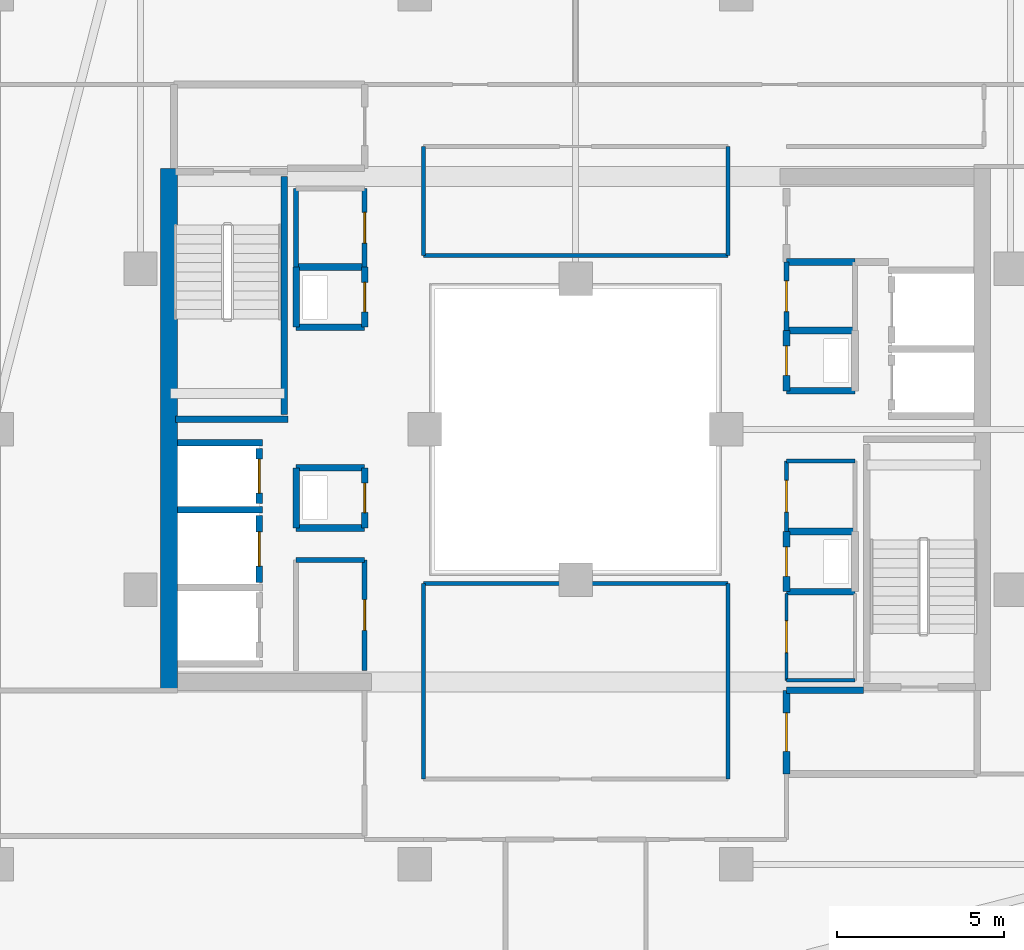
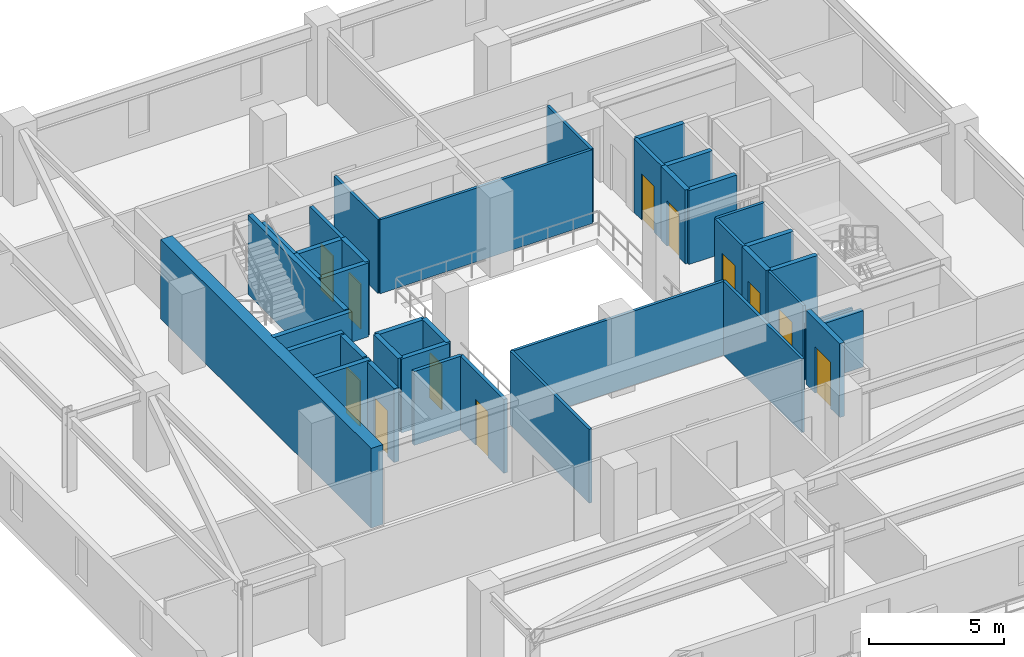
# One storey, part 24 of 33: 39 walls, 12 doors, 12 openings.
"""IFC4 building model written with IfcOpenShell, lengths in metres."""

from ifc_helpers import new_model, si_unit, direction, frame, frame_2d, origin, place, context, subcontext, project, spatial, rectangle, extrude, material, layer, layer_set, type_object, element, fill, save


model = new_model("IFC4")

# Units and contexts
model_context = context("Model", 3, precision=1e-05, world=origin(), true_north=direction((0.0, 1.0)))
body_context = subcontext(model_context, "Body", "Model", "MODEL_VIEW")
ifc_project = project(units=[si_unit("LENGTHUNIT", "METRE"), si_unit("AREAUNIT", "SQUARE_METRE"), si_unit("VOLUMEUNIT", "CUBIC_METRE"), si_unit("PLANEANGLEUNIT", "RADIAN"), si_unit("MASSUNIT", "GRAM", prefix="KILO")], contexts=[model_context])

# Site, building, storey
site_placement = place(None, origin())
site = spatial("IfcSite", under=ifc_project, at=site_placement, CompositionType="ELEMENT")
building_placement = place(site_placement, origin())
building = spatial("IfcBuilding", under=site, at=building_placement, Name="Thornwick Lancets Civic Towers", CompositionType="ELEMENT")
storey_placement = place(building_placement, frame((0.0, 0.0, 203.699951171875)))
storey = spatial("IfcBuildingStorey", under=building, at=storey_placement, Name="L54", CompositionType="ELEMENT", Elevation=203.699951171875)

# Wall, opening, door
ifc_material_1 = material(Name="Concrete blockwork C40/50", Category="masonry")
ifc_layer_1 = layer(ifc_material_1, 0.199951171875, Name="Concrete blockwork C40/50")
ifc_layer_set_1 = layer_set([ifc_layer_1], Name="Concrete blockwork C40/50")
wall_type_1 = type_object("IfcWallType", Name="WALL_COMP_200", PredefinedType="STANDARD", material=ifc_layer_set_1)
wall_1_placement = place(storey_placement, frame((79.050048828125, 24.780029296875, 0.0), z_axis=(0.0, 0.0, 1.0), x_axis=(0.0, 1.0, 0.0)))
wall_1 = element("IfcWall", 1, at=wall_1_placement, inside=storey, type_object=wall_type_1, Name="L54 Hoistway Front Wall FL-B2", PredefinedType="STANDARD", context=body_context, shape_type="SweptSolid", body=[
    extrude(rectangle(XDim=1.639892578125, YDim=0.199951171875, at=frame_2d((0.81982421875, 0.0))), origin(), (0.0, 0.0, 1.0), 3.340087890625),
])
opening_1_placement = place(wall_1_placement, frame((0.31005859375, 0.0, 0.0)))
opening_1 = element("IfcOpeningElement", 2, at=opening_1_placement, cuts=wall_1, Name="Opening LD-FL-B2", PredefinedType="OPENING", context=body_context, shape_type="SweptSolid", body=[
    extrude(rectangle(XDim=1.02001953125, YDim=2.06005859375, at=frame_2d((0.510009765625, 1.030029296875))), frame((0.0, 0.10986328125, 0.0), z_axis=(0.0, -1.0, 0.0), x_axis=(1.0, 0.0, 0.0)), (0.0, 0.0, 1.0), 0.219970703125),
])
ifc_material_2 = material(Name="Brushed bronze stainless steel", Category="steel")
door_type_1 = type_object("IfcDoorType", Name="DOOR_LIFT_SLIDE", OperationType="SLIDING_TO_LEFT", PredefinedType="DOOR", material=ifc_material_2)
door_1_placement = place(opening_1_placement, origin())
door_1 = element("IfcDoor", 3, at=door_1_placement, inside=storey, type_object=door_type_1, Name="L54 Sliding Lift Landing Door LD-FL-B2", OperationType="SLIDING_TO_LEFT", OverallHeight=2.06005859375, OverallWidth=1.02001953125, PredefinedType="DOOR", context=body_context, shape_type="SweptSolid", body=[
    extrude(rectangle(XDim=1.02001953125, YDim=2.06005859375, at=frame_2d((0.510009765625, 1.030029296875))), frame((0.0, 0.02490234375, 0.0), z_axis=(0.0, -1.0, 0.0), x_axis=(1.0, 0.0, 0.0)), (0.0, 0.0, 1.0), 0.050048828125),
])
fill(opening_1, door_1)

wall_2_placement = place(storey_placement, frame((79.050048828125, 22.429931640625, 0.0), z_axis=(0.0, 0.0, 1.0), x_axis=(0.0, 1.0, 0.0)))
wall_2 = element("IfcWall", 4, at=wall_2_placement, inside=storey, type_object=wall_type_1, Name="L54 Hoistway Front Wall PL-BH2", PredefinedType="STANDARD", context=body_context, shape_type="SweptSolid", body=[
    extrude(rectangle(XDim=1.989990234375, YDim=0.199951171875, at=frame_2d((0.9951171875, 0.0))), origin(), (0.0, 0.0, 1.0), 3.340087890625),
])
opening_2_placement = place(wall_2_placement, frame((0.485107421875, 0.0, 0.0)))
opening_2 = element("IfcOpeningElement", 5, at=opening_2_placement, cuts=wall_2, Name="Opening LD-PL-BH2", PredefinedType="OPENING", context=body_context, shape_type="SweptSolid", body=[
    extrude(rectangle(XDim=1.02001953125, YDim=2.06005859375, at=frame_2d((0.510009765625, 1.030029296875))), frame((0.0, 0.10986328125, 0.0), z_axis=(0.0, -1.0, 0.0), x_axis=(1.0, 0.0, 0.0)), (0.0, 0.0, 1.0), 0.219970703125),
])
door_2_placement = place(opening_2_placement, origin())
door_2 = element("IfcDoor", 6, at=door_2_placement, inside=storey, type_object=door_type_1, Name="L54 Sliding Lift Landing Door LD-PL-BH2", OperationType="SLIDING_TO_LEFT", OverallHeight=2.06005859375, OverallWidth=1.02001953125, PredefinedType="DOOR", context=body_context, shape_type="SweptSolid", body=[
    extrude(rectangle(XDim=1.02001953125, YDim=2.06005859375, at=frame_2d((0.510009765625, 1.030029296875))), frame((0.0, 0.02490234375, 0.0), z_axis=(0.0, -1.0, 0.0), x_axis=(1.0, 0.0, 0.0)), (0.0, 0.0, 1.0), 0.050048828125),
])
fill(opening_2, door_2)

# Walls
for number, where, z_axis, x_axis, name in (
    (7, (76.612060546875, 26.60009765625, 0.0), (0.0, 0.0, 1.0), (1.0, 0.0, 0.0), "L54 Hoistway Shaft Wall FL-B2 N"),
    (8, (76.612060546875, 24.60009765625, 0.0), (0.0, 0.0, 1.0), (1.0, 0.0, 0.0), "L54 Hoistway Shaft Wall FL-B2 S"),
):
    element("IfcWall", number, at=place(storey_placement, frame(where, z_axis=z_axis, x_axis=x_axis)), inside=storey, type_object=wall_type_1, Name=name, PredefinedType="STANDARD", context=body_context, shape_type="SweptSolid", body=[
        extrude(rectangle(XDim=2.535888671875, YDim=0.199951171875, at=frame_2d((1.26806640625, 0.0))), origin(), (0.0, 0.0, 1.0), 3.340087890625),
    ])
wall_3_placement = place(storey_placement, frame((97.10009765625, 19.199951171875, 0.0), z_axis=(0.0, 0.0, 1.0), x_axis=(-1.0, 0.0, 0.0)))
element("IfcWall", 9, at=wall_3_placement, inside=storey, type_object=wall_type_1, Name="L54 Partition L54-B-FFLOB1 E3", PredefinedType="STANDARD", context=body_context, shape_type="SweptSolid", body=[
    extrude(rectangle(XDim=2.300048828125, YDim=0.199951171875, at=frame_2d((1.14990234375, 0.0))), origin(), (0.0, 0.0, 1.0), 2.545166015625),
])

# Wall, opening, door
wall_4_placement = place(storey_placement, frame((94.800048828125, 19.199951171875, 0.0), z_axis=(0.0, 0.0, 1.0), x_axis=(0.0, -1.0, 0.0)))
wall_4 = element("IfcWall", 10, at=wall_4_placement, inside=storey, type_object=wall_type_1, Name="L54 Partition L54-B-FFLOB1 E4", PredefinedType="STANDARD", context=body_context, shape_type="SweptSolid", body=[
    extrude(rectangle(XDim=2.5, YDim=0.199951171875, at=frame_2d((1.25, 0.0))), origin(), (0.0, 0.0, 1.0), 3.340087890625),
])
opening_3_placement = place(wall_4_placement, frame((0.675048828125, 0.0, 0.0)))
opening_3 = element("IfcOpeningElement", 11, at=opening_3_placement, cuts=wall_4, Name="Opening D-L54-2399", PredefinedType="OPENING", context=body_context, shape_type="SweptSolid", body=[
    extrude(rectangle(XDim=1.14990234375, YDim=2.10009765625, at=frame_2d((0.574951171875, 1.050048828125))), frame((0.0, 0.10986328125, 0.0), z_axis=(0.0, -1.0, 0.0), x_axis=(1.0, 0.0, 0.0)), (0.0, 0.0, 1.0), 0.219970703125),
])
ifc_material_3 = material(Name="Glazed fire-resisting steel", Category="steel")
door_type_2 = type_object("IfcDoorType", Name="DOOR_LOBBY_FD60", OperationType="NOTDEFINED", PredefinedType="DOOR", material=ifc_material_3)
door_3_placement = place(opening_3_placement, origin())
door_3 = element("IfcDoor", 12, at=door_3_placement, inside=storey, type_object=door_type_2, Name="L54 East Firefighting Lobby 1 Door", OperationType="SINGLE_SWING_RIGHT", OverallHeight=2.10009765625, OverallWidth=1.14990234375, PredefinedType="DOOR", context=body_context, shape_type="SweptSolid", body=[
    extrude(rectangle(XDim=1.14990234375, YDim=2.10009765625, at=frame_2d((0.574951171875, 1.050048828125))), frame((0.0, 0.02490234375, 0.0), z_axis=(0.0, -1.0, 0.0), x_axis=(1.0, 0.0, 0.0)), (0.0, 0.0, 1.0), 0.050048828125),
])
fill(opening_3, door_3)

# Walls
for number, where, z_axis, x_axis, name in (
    (13, (94.800048828125, 28.14990234375, 0.0), (0.0, 0.0, 1.0), (1.0, 0.0, 0.0), "L54 Partition L54-B-DUCT1 E1"),
    (14, (96.85009765625, 29.949951171875, 0.0), (0.0, 0.0, 1.0), (-1.0, 0.0, 0.0), "L54 Partition L54-B-DUCT1 E3"),
):
    element("IfcWall", number, at=place(storey_placement, frame(where, z_axis=z_axis, x_axis=x_axis)), inside=storey, type_object=wall_type_1, Name=name, PredefinedType="STANDARD", context=body_context, shape_type="SweptSolid", body=[
        extrude(rectangle(XDim=2.050048828125, YDim=0.199951171875, at=frame_2d((1.02490234375, 0.0))), origin(), (0.0, 0.0, 1.0), 3.340087890625),
    ])

# Wall, opening, door
wall_5_placement = place(storey_placement, frame((94.800048828125, 29.949951171875, 0.0), z_axis=(0.0, 0.0, 1.0), x_axis=(0.0, -1.0, 0.0)))
wall_5 = element("IfcWall", 15, at=wall_5_placement, inside=storey, type_object=wall_type_1, Name="L54 Partition L54-B-DUCT1 E4", PredefinedType="STANDARD", context=body_context, shape_type="SweptSolid", body=[
    extrude(rectangle(XDim=1.800048828125, YDim=0.199951171875, at=frame_2d((0.89990234375, 0.0))), origin(), (0.0, 0.0, 1.0), 3.340087890625),
])
opening_4_placement = place(wall_5_placement, frame((0.4599609375, 0.0, 0.0)))
opening_4 = element("IfcOpeningElement", 16, at=opening_4_placement, cuts=wall_5, Name="Opening D-L54-2401", PredefinedType="OPENING", context=body_context, shape_type="SweptSolid", body=[
    extrude(rectangle(XDim=0.8798828125, YDim=2.0400390625, at=frame_2d((0.43994140625, 1.02001953125))), frame((0.0, 0.10986328125, 0.0), z_axis=(0.0, -1.0, 0.0), x_axis=(1.0, 0.0, 0.0)), (0.0, 0.0, 1.0), 0.219970703125),
])
ifc_material_4 = material(Name="Steel riser access doorset", Category="steel")
door_type_3 = type_object("IfcDoorType", Name="DOOR_RISER_850", OperationType="NOTDEFINED", PredefinedType="DOOR", material=ifc_material_4)
door_4_placement = place(opening_4_placement, origin())
door_4 = element("IfcDoor", 17, at=door_4_placement, inside=storey, type_object=door_type_3, Name="L54 East Service Duct 1 Door", OperationType="SINGLE_SWING_RIGHT", OverallHeight=2.0400390625, OverallWidth=0.8798828125, PredefinedType="DOOR", context=body_context, shape_type="SweptSolid", body=[
    extrude(rectangle(XDim=0.8798828125, YDim=2.0400390625, at=frame_2d((0.43994140625, 1.02001953125))), frame((0.0, 0.02490234375, 0.0), z_axis=(0.0, -1.0, 0.0), x_axis=(1.0, 0.0, 0.0)), (0.0, 0.0, 1.0), 0.050048828125),
])
fill(opening_4, door_4)

# Walls
for number, where, z_axis, x_axis, name in (
    (18, (94.800048828125, 22.14990234375, 0.0), (0.0, 0.0, 1.0), (1.0, 0.0, 0.0), "L54 Partition L54-B-RISER1 E1"),
    (19, (96.85009765625, 23.949951171875, 0.0), (0.0, 0.0, 1.0), (-1.0, 0.0, 0.0), "L54 Partition L54-B-RISER1 E3"),
):
    element("IfcWall", number, at=place(storey_placement, frame(where, z_axis=z_axis, x_axis=x_axis)), inside=storey, type_object=wall_type_1, Name=name, PredefinedType="STANDARD", context=body_context, shape_type="SweptSolid", body=[
        extrude(rectangle(XDim=2.050048828125, YDim=0.199951171875, at=frame_2d((1.02490234375, 0.0))), origin(), (0.0, 0.0, 1.0), 3.340087890625),
    ])

# Wall, opening, door
wall_6_placement = place(storey_placement, frame((94.800048828125, 23.949951171875, 0.0), z_axis=(0.0, 0.0, 1.0), x_axis=(0.0, -1.0, 0.0)))
wall_6 = element("IfcWall", 20, at=wall_6_placement, inside=storey, type_object=wall_type_1, Name="L54 Partition L54-B-RISER1 E4", PredefinedType="STANDARD", context=body_context, shape_type="SweptSolid", body=[
    extrude(rectangle(XDim=1.800048828125, YDim=0.199951171875, at=frame_2d((0.89990234375, 0.0))), origin(), (0.0, 0.0, 1.0), 3.340087890625),
])
opening_5_placement = place(wall_6_placement, frame((0.4599609375, 0.0, 0.0)))
opening_5 = element("IfcOpeningElement", 21, at=opening_5_placement, cuts=wall_6, Name="Opening D-L54-2402", PredefinedType="OPENING", context=body_context, shape_type="SweptSolid", body=[
    extrude(rectangle(XDim=0.8798828125, YDim=2.0400390625, at=frame_2d((0.43994140625, 1.02001953125))), frame((0.0, 0.10986328125, 0.0), z_axis=(0.0, -1.0, 0.0), x_axis=(1.0, 0.0, 0.0)), (0.0, 0.0, 1.0), 0.219970703125),
])
door_5_placement = place(opening_5_placement, origin())
door_5 = element("IfcDoor", 22, at=door_5_placement, inside=storey, type_object=door_type_3, Name="L54 East Electrical Riser 1 Door", OperationType="SINGLE_SWING_LEFT", OverallHeight=2.0400390625, OverallWidth=0.8798828125, PredefinedType="DOOR", context=body_context, shape_type="SweptSolid", body=[
    extrude(rectangle(XDim=0.8798828125, YDim=2.0400390625, at=frame_2d((0.43994140625, 1.02001953125))), frame((0.0, 0.02490234375, 0.0), z_axis=(0.0, -1.0, 0.0), x_axis=(1.0, 0.0, 0.0)), (0.0, 0.0, 1.0), 0.050048828125),
])
fill(opening_5, door_5)

# Wall
wall_7_placement = place(storey_placement, frame((80.14990234375, 24.050048828125, 0.0), z_axis=(0.0, 0.0, 1.0), x_axis=(1.0, 0.0, 0.0)))
element("IfcWall", 23, at=wall_7_placement, inside=storey, type_object=wall_type_1, Name="L54 Partition L54-B-DUCT2 E1", PredefinedType="STANDARD", context=body_context, shape_type="SweptSolid", body=[
    extrude(rectangle(XDim=2.050048828125, YDim=0.199951171875, at=frame_2d((1.02490234375, 0.0))), origin(), (0.0, 0.0, 1.0), 3.340087890625),
])

# Wall, opening, door
wall_8_placement = place(storey_placement, frame((82.199951171875, 24.050048828125, 0.0), z_axis=(0.0, 0.0, 1.0), x_axis=(0.0, 1.0, 0.0)))
wall_8 = element("IfcWall", 24, at=wall_8_placement, inside=storey, type_object=wall_type_1, Name="L54 Partition L54-B-DUCT2 E2", PredefinedType="STANDARD", context=body_context, shape_type="SweptSolid", body=[
    extrude(rectangle(XDim=1.800048828125, YDim=0.199951171875, at=frame_2d((0.89990234375, 0.0))), origin(), (0.0, 0.0, 1.0), 3.340087890625),
])
opening_6_placement = place(wall_8_placement, frame((0.4599609375, 0.0, 0.0)))
opening_6 = element("IfcOpeningElement", 25, at=opening_6_placement, cuts=wall_8, Name="Opening D-L54-2403", PredefinedType="OPENING", context=body_context, shape_type="SweptSolid", body=[
    extrude(rectangle(XDim=0.8798828125, YDim=2.0400390625, at=frame_2d((0.43994140625, 1.02001953125))), frame((0.0, 0.10986328125, 0.0), z_axis=(0.0, -1.0, 0.0), x_axis=(1.0, 0.0, 0.0)), (0.0, 0.0, 1.0), 0.219970703125),
])
door_6_placement = place(opening_6_placement, origin())
door_6 = element("IfcDoor", 26, at=door_6_placement, inside=storey, type_object=door_type_3, Name="L54 West Service Duct 2 Door", OperationType="SINGLE_SWING_RIGHT", OverallHeight=2.0400390625, OverallWidth=0.8798828125, PredefinedType="DOOR", context=body_context, shape_type="SweptSolid", body=[
    extrude(rectangle(XDim=0.8798828125, YDim=2.0400390625, at=frame_2d((0.43994140625, 1.02001953125))), frame((0.0, 0.02490234375, 0.0), z_axis=(0.0, -1.0, 0.0), x_axis=(1.0, 0.0, 0.0)), (0.0, 0.0, 1.0), 0.050048828125),
])
fill(opening_6, door_6)

# Walls
wall_9_placement = place(storey_placement, frame((82.199951171875, 25.85009765625, 0.0), z_axis=(0.0, 0.0, 1.0), x_axis=(-1.0, 0.0, 0.0)))
element("IfcWall", 27, at=wall_9_placement, inside=storey, type_object=wall_type_1, Name="L54 Partition L54-B-DUCT2 E3", PredefinedType="STANDARD", context=body_context, shape_type="SweptSolid", body=[
    extrude(rectangle(XDim=2.050048828125, YDim=0.199951171875, at=frame_2d((1.02490234375, 0.0))), origin(), (0.0, 0.0, 1.0), 3.340087890625),
])
wall_10_placement = place(storey_placement, frame((80.14990234375, 25.85009765625, 0.0), z_axis=(0.0, 0.0, 1.0), x_axis=(0.0, -1.0, 0.0)))
element("IfcWall", 28, at=wall_10_placement, inside=storey, type_object=wall_type_1, Name="L54 Partition L54-B-DUCT2 E4", PredefinedType="STANDARD", context=body_context, shape_type="SweptSolid", body=[
    extrude(rectangle(XDim=1.800048828125, YDim=0.199951171875, at=frame_2d((0.89990234375, 0.0))), origin(), (0.0, 0.0, 1.0), 3.340087890625),
])
wall_11_placement = place(storey_placement, frame((80.14990234375, 30.050048828125, 0.0), z_axis=(0.0, 0.0, 1.0), x_axis=(1.0, 0.0, 0.0)))
element("IfcWall", 29, at=wall_11_placement, inside=storey, type_object=wall_type_1, Name="L54 Partition L54-B-RISER2 E1", PredefinedType="STANDARD", context=body_context, shape_type="SweptSolid", body=[
    extrude(rectangle(XDim=2.050048828125, YDim=0.199951171875, at=frame_2d((1.02490234375, 0.0))), origin(), (0.0, 0.0, 1.0), 3.340087890625),
])

# Wall, opening, door
wall_12_placement = place(storey_placement, frame((82.199951171875, 30.050048828125, 0.0), z_axis=(0.0, 0.0, 1.0), x_axis=(0.0, 1.0, 0.0)))
wall_12 = element("IfcWall", 30, at=wall_12_placement, inside=storey, type_object=wall_type_1, Name="L54 Partition L54-B-RISER2 E2", PredefinedType="STANDARD", context=body_context, shape_type="SweptSolid", body=[
    extrude(rectangle(XDim=1.800048828125, YDim=0.199951171875, at=frame_2d((0.89990234375, 0.0))), origin(), (0.0, 0.0, 1.0), 3.340087890625),
])
opening_7_placement = place(wall_12_placement, frame((0.4599609375, 0.0, 0.0)))
opening_7 = element("IfcOpeningElement", 31, at=opening_7_placement, cuts=wall_12, Name="Opening D-L54-2404", PredefinedType="OPENING", context=body_context, shape_type="SweptSolid", body=[
    extrude(rectangle(XDim=0.8798828125, YDim=2.0400390625, at=frame_2d((0.43994140625, 1.02001953125))), frame((0.0, 0.10986328125, 0.0), z_axis=(0.0, -1.0, 0.0), x_axis=(1.0, 0.0, 0.0)), (0.0, 0.0, 1.0), 0.219970703125),
])
door_7_placement = place(opening_7_placement, origin())
door_7 = element("IfcDoor", 32, at=door_7_placement, inside=storey, type_object=door_type_3, Name="L54 West Service Riser 2 Door", OperationType="SINGLE_SWING_LEFT", OverallHeight=2.0400390625, OverallWidth=0.8798828125, PredefinedType="DOOR", context=body_context, shape_type="SweptSolid", body=[
    extrude(rectangle(XDim=0.8798828125, YDim=2.0400390625, at=frame_2d((0.43994140625, 1.02001953125))), frame((0.0, 0.02490234375, 0.0), z_axis=(0.0, -1.0, 0.0), x_axis=(1.0, 0.0, 0.0)), (0.0, 0.0, 1.0), 0.050048828125),
])
fill(opening_7, door_7)

# Walls
wall_13_placement = place(storey_placement, frame((82.199951171875, 31.85009765625, 0.0), z_axis=(0.0, 0.0, 1.0), x_axis=(-1.0, 0.0, 0.0)))
element("IfcWall", 33, at=wall_13_placement, inside=storey, type_object=wall_type_1, Name="L54 Partition L54-B-RISER2 E3", PredefinedType="STANDARD", context=body_context, shape_type="SweptSolid", body=[
    extrude(rectangle(XDim=2.050048828125, YDim=0.199951171875, at=frame_2d((1.02490234375, 0.0))), origin(), (0.0, 0.0, 1.0), 3.340087890625),
])
wall_14_placement = place(storey_placement, frame((80.14990234375, 31.85009765625, 0.0), z_axis=(0.0, 0.0, 1.0), x_axis=(0.0, -1.0, 0.0)))
element("IfcWall", 34, at=wall_14_placement, inside=storey, type_object=wall_type_1, Name="L54 Partition L54-B-RISER2 E4", PredefinedType="STANDARD", context=body_context, shape_type="SweptSolid", body=[
    extrude(rectangle(XDim=1.800048828125, YDim=0.199951171875, at=frame_2d((0.89990234375, 0.0))), origin(), (0.0, 0.0, 1.0), 3.340087890625),
])
wall_15_placement = place(storey_placement, frame((96.85009765625, 32.0, 0.0), z_axis=(0.0, 0.0, 1.0), x_axis=(-1.0, 0.0, 0.0)))
element("IfcWall", 35, at=wall_15_placement, inside=storey, type_object=wall_type_1, Name="L54 Partition L54-B-STR2 E5", PredefinedType="STANDARD", context=body_context, shape_type="SweptSolid", body=[
    extrude(rectangle(XDim=2.050048828125, YDim=0.199951171875, at=frame_2d((1.02490234375, 0.0))), origin(), (0.0, 0.0, 1.0), 3.340087890625),
])
ifc_material_5 = material(Name="Concrete C50/60", Category="concrete")
ifc_layer_2 = layer(ifc_material_5, 0.5, Name="Concrete C50/60")
ifc_layer_set_2 = layer_set([ifc_layer_2], Name="Concrete C50/60")
wall_type_2 = type_object("IfcWallType", Name="WALL_CORE_500", PredefinedType="SHEAR", material=ifc_layer_set_2)
wall_16_placement = place(storey_placement, frame((76.35009765625, 19.199951171875, 0.0), z_axis=(0.0, 0.0, 1.0), x_axis=(0.0, 1.0, 0.0)))
element("IfcWall", 36, at=wall_16_placement, inside=storey, type_object=wall_type_2, Name="L54 Split Core B2 Shear Wall W", PredefinedType="SHEAR", context=body_context, shape_type="SweptSolid", body=[
    extrude(rectangle(XDim=15.60009765625, YDim=0.5, at=frame_2d((7.800048828125, 0.0))), origin(), (0.0, 0.0, 1.0), 3.60009765625),
])
ifc_material_6 = material(Name="Lightweight cellular office partition")
ifc_layer_3 = layer(ifc_material_6, 0.10009765625, Name="Lightweight cellular office partition")
ifc_layer_set_3 = layer_set([ifc_layer_3], Name="Lightweight cellular office partition")
wall_type_3 = type_object("IfcWallType", Name="WALL_PART_100", PredefinedType="PARTITIONING", material=ifc_layer_set_3)
wall_17_placement = place(storey_placement, frame((94.800048828125, 19.5, 0.0), z_axis=(0.0, 0.0, 1.0), x_axis=(1.0, 0.0, 0.0)))
element("IfcWall", 37, at=wall_17_placement, inside=storey, type_object=wall_type_3, Name="L54 Partition L54-B-CLN E1", PredefinedType="PARTITIONING", context=body_context, shape_type="SweptSolid", body=[
    extrude(rectangle(XDim=2.050048828125, YDim=0.10009765625, at=frame_2d((1.02490234375, 0.0))), origin(), (0.0, 0.0, 1.0), 2.545166015625),
])

# Wall, opening, door
wall_18_placement = place(storey_placement, frame((94.800048828125, 22.10009765625, 0.0), z_axis=(0.0, 0.0, 1.0), x_axis=(0.0, -1.0, 0.0)))
wall_18 = element("IfcWall", 38, at=wall_18_placement, inside=storey, type_object=wall_type_3, Name="L54 Partition L54-B-CLN E4", PredefinedType="PARTITIONING", context=body_context, shape_type="SweptSolid", body=[
    extrude(rectangle(XDim=2.60009765625, YDim=0.10009765625, at=frame_2d((1.300048828125, 0.0))), origin(), (0.0, 0.0, 1.0), 3.340087890625),
])
opening_8_placement = place(wall_18_placement, frame((0.824951171875, 0.0, 0.0)))
opening_8 = element("IfcOpeningElement", 39, at=opening_8_placement, cuts=wall_18, Name="Opening D-L54-2405", PredefinedType="OPENING", context=body_context, shape_type="SweptSolid", body=[
    extrude(rectangle(XDim=0.949951171875, YDim=2.10009765625, at=frame_2d((0.47509765625, 1.050048828125))), frame((0.0, 0.06005859375, 0.0), z_axis=(0.0, -1.0, 0.0), x_axis=(1.0, 0.0, 0.0)), (0.0, 0.0, 1.0), 0.1201171875),
])
ifc_material_7 = material(Name="European oak acoustic doorset")
door_type_4 = type_object("IfcDoorType", Name="DOOR_OFFICE_950", OperationType="NOTDEFINED", PredefinedType="DOOR", material=ifc_material_7)
door_8_placement = place(opening_8_placement, origin())
door_8 = element("IfcDoor", 40, at=door_8_placement, inside=storey, type_object=door_type_4, Name="L54 Tower B Cleaners Store Door", OperationType="SINGLE_SWING_RIGHT", OverallHeight=2.10009765625, OverallWidth=0.949951171875, PredefinedType="DOOR", context=body_context, shape_type="SweptSolid", body=[
    extrude(rectangle(XDim=0.949951171875, YDim=2.10009765625, at=frame_2d((0.47509765625, 1.050048828125))), frame((0.0, 0.02490234375, 0.0), z_axis=(0.0, -1.0, 0.0), x_axis=(1.0, 0.0, 0.0)), (0.0, 0.0, 1.0), 0.050048828125),
])
fill(opening_8, door_8)

ifc_material_8 = material(Name="Acoustic gypsum board partition")
ifc_layer_4 = layer(ifc_material_8, 0.1201171875, Name="Acoustic gypsum board partition")
ifc_layer_set_4 = layer_set([ifc_layer_4], Name="Acoustic gypsum board partition")
wall_type_4 = type_object("IfcWallType", Name="WALL_PART_120", PredefinedType="PARTITIONING", material=ifc_layer_set_4)
wall_19_placement = place(storey_placement, frame((94.800048828125, 23.949951171875, 0.0), z_axis=(0.0, 0.0, 1.0), x_axis=(0.0, 1.0, 0.0)))
wall_19 = element("IfcWall", 41, at=wall_19_placement, inside=storey, type_object=wall_type_4, Name="L54 Partition L54-B-ITR E1", PredefinedType="PARTITIONING", context=body_context, shape_type="SweptSolid", body=[
    extrude(rectangle(XDim=2.10009765625, YDim=0.1201171875, at=frame_2d((1.050048828125, 0.0))), origin(), (0.0, 0.0, 1.0), 3.340087890625),
])
opening_9_placement = place(wall_19_placement, frame((0.574951171875, 0.0, 0.0)))
opening_9 = element("IfcOpeningElement", 42, at=opening_9_placement, cuts=wall_19, Name="Opening D-L54-2406", PredefinedType="OPENING", context=body_context, shape_type="SweptSolid", body=[
    extrude(rectangle(XDim=0.949951171875, YDim=2.10009765625, at=frame_2d((0.47509765625, 1.050048828125))), frame((0.0, 0.070068359375, 0.0), z_axis=(0.0, -1.0, 0.0), x_axis=(1.0, 0.0, 0.0)), (0.0, 0.0, 1.0), 0.14013671875),
])
door_9_placement = place(opening_9_placement, origin())
door_9 = element("IfcDoor", 43, at=door_9_placement, inside=storey, type_object=door_type_4, Name="L54 Tower B Comms Patch Room Door", OperationType="SINGLE_SWING_LEFT", OverallHeight=2.10009765625, OverallWidth=0.949951171875, PredefinedType="DOOR", context=body_context, shape_type="SweptSolid", body=[
    extrude(rectangle(XDim=0.949951171875, YDim=2.10009765625, at=frame_2d((0.47509765625, 1.050048828125))), frame((0.0, 0.02490234375, 0.0), z_axis=(0.0, -1.0, 0.0), x_axis=(1.0, 0.0, 0.0)), (0.0, 0.0, 1.0), 0.050048828125),
])
fill(opening_9, door_9)

# Walls
wall_20_placement = place(storey_placement, frame((94.800048828125, 26.050048828125, 0.0), z_axis=(0.0, 0.0, 1.0), x_axis=(1.0, 0.0, 0.0)))
element("IfcWall", 44, at=wall_20_placement, inside=storey, type_object=wall_type_4, Name="L54 Partition L54-B-ITR E2", PredefinedType="PARTITIONING", context=body_context, shape_type="SweptSolid", body=[
    extrude(rectangle(XDim=2.050048828125, YDim=0.1201171875, at=frame_2d((1.02490234375, 0.0))), origin(), (0.0, 0.0, 1.0), 3.340087890625),
])
wall_21_placement = place(storey_placement, frame((83.949951171875, 16.550048828125, 0.0), z_axis=(0.0, 0.0, 1.0), x_axis=(0.0, 1.0, 0.0)))
element("IfcWall", 45, at=wall_21_placement, inside=storey, type_object=wall_type_4, Name="L54 Partition L54-B-W3 E1", PredefinedType="PARTITIONING", context=body_context, shape_type="SweptSolid", body=[
    extrude(rectangle(XDim=5.849853515625, YDim=0.1201171875, at=frame_2d((2.9248046875, 0.0))), origin(), (0.0, 0.0, 1.0), 3.340087890625),
])
wall_22_placement = place(storey_placement, frame((83.949951171875, 22.39990234375, 0.0), z_axis=(0.0, 0.0, 1.0), x_axis=(1.0, 0.0, 0.0)))
element("IfcWall", 46, at=wall_22_placement, inside=storey, type_object=wall_type_4, Name="L54 Partition L54-B-W3 E2", PredefinedType="PARTITIONING", context=body_context, shape_type="SweptSolid", body=[
    extrude(rectangle(XDim=9.10009765625, YDim=0.1201171875, at=frame_2d((4.550048828125, 0.0))), origin(), (0.0, 0.0, 1.0), 3.340087890625),
])
wall_23_placement = place(storey_placement, frame((93.050048828125, 22.39990234375, 0.0), z_axis=(0.0, 0.0, 1.0), x_axis=(0.0, -1.0, 0.0)))
element("IfcWall", 47, at=wall_23_placement, inside=storey, type_object=wall_type_4, Name="L54 Partition L54-B-W3 E3", PredefinedType="PARTITIONING", context=body_context, shape_type="SweptSolid", body=[
    extrude(rectangle(XDim=5.849853515625, YDim=0.1201171875, at=frame_2d((2.9248046875, 0.0))), origin(), (0.0, 0.0, 1.0), 3.340087890625),
])
for number, where, z_axis, x_axis, name in (
    (48, (83.949951171875, 32.199951171875, 0.0), (0.0, 0.0, 1.0), (0.0, 1.0, 0.0), "L54 Partition L54-B-E-ATRIUM-OFF E1"),
    (49, (93.050048828125, 35.449951171875, 0.0), (0.0, 0.0, 1.0), (0.0, -1.0, 0.0), "L54 Partition L54-B-E-ATRIUM-OFF E3"),
):
    element("IfcWall", number, at=place(storey_placement, frame(where, z_axis=z_axis, x_axis=x_axis)), inside=storey, type_object=wall_type_4, Name=name, PredefinedType="PARTITIONING", context=body_context, shape_type="SweptSolid", body=[
        extrude(rectangle(XDim=3.25, YDim=0.1201171875, at=frame_2d((1.625, 0.0))), origin(), (0.0, 0.0, 1.0), 3.340087890625),
    ])
wall_24_placement = place(storey_placement, frame((93.050048828125, 32.199951171875, 0.0), z_axis=(0.0, 0.0, 1.0), x_axis=(-1.0, 0.0, 0.0)))
element("IfcWall", 50, at=wall_24_placement, inside=storey, type_object=wall_type_4, Name="L54 Partition L54-B-E-ATRIUM-OFF E4", PredefinedType="PARTITIONING", context=body_context, shape_type="SweptSolid", body=[
    extrude(rectangle(XDim=9.10009765625, YDim=0.1201171875, at=frame_2d((4.550048828125, 0.0))), origin(), (0.0, 0.0, 1.0), 3.340087890625),
])

# Wall, opening, door
ifc_material_9 = material(Name="Twin-stud acoustic gypsum board")
ifc_layer_5 = layer(ifc_material_9, 0.14990234375, Name="Twin-stud acoustic gypsum board")
ifc_layer_set_5 = layer_set([ifc_layer_5], Name="Twin-stud acoustic gypsum board")
wall_type_5 = type_object("IfcWallType", Name="WALL_PART_150", PredefinedType="PARTITIONING", material=ifc_layer_set_5)
wall_25_placement = place(storey_placement, frame((94.800048828125, 29.949951171875, 0.0), z_axis=(0.0, 0.0, 1.0), x_axis=(0.0, 1.0, 0.0)))
wall_25 = element("IfcWall", 51, at=wall_25_placement, inside=storey, type_object=wall_type_5, Name="L54 Partition L54-B-AWC E1", PredefinedType="PARTITIONING", context=body_context, shape_type="SweptSolid", body=[
    extrude(rectangle(XDim=2.050048828125, YDim=0.14990234375, at=frame_2d((1.02490234375, 0.0))), origin(), (0.0, 0.0, 1.0), 3.340087890625),
])
opening_10_placement = place(wall_25_placement, frame((0.56494140625, 0.0, 0.0)))
opening_10 = element("IfcOpeningElement", 52, at=opening_10_placement, cuts=wall_25, Name="Opening D-L54-2407", PredefinedType="OPENING", context=body_context, shape_type="SweptSolid", body=[
    extrude(rectangle(XDim=0.919921875, YDim=2.080078125, at=frame_2d((0.4599609375, 1.0400390625))), frame((0.0, 0.0849609375, 0.0), z_axis=(0.0, -1.0, 0.0), x_axis=(1.0, 0.0, 0.0)), (0.0, 0.0, 1.0), 0.169921875),
])
ifc_material_10 = material(Name="Moisture-resistant oak doorset")
door_type_5 = type_object("IfcDoorType", Name="DOOR_WC_900", OperationType="NOTDEFINED", PredefinedType="DOOR", material=ifc_material_10)
door_10_placement = place(opening_10_placement, origin())
door_10 = element("IfcDoor", 53, at=door_10_placement, inside=storey, type_object=door_type_5, Name="L54 Tower B Accessible WC Door", OperationType="SINGLE_SWING_RIGHT", OverallHeight=2.080078125, OverallWidth=0.919921875, PredefinedType="DOOR", context=body_context, shape_type="SweptSolid", body=[
    extrude(rectangle(XDim=0.919921875, YDim=2.080078125, at=frame_2d((0.4599609375, 1.0400390625))), frame((0.0, 0.02490234375, 0.0), z_axis=(0.0, -1.0, 0.0), x_axis=(1.0, 0.0, 0.0)), (0.0, 0.0, 1.0), 0.050048828125),
])
fill(opening_10, door_10)

wall_26_placement = place(storey_placement, frame((82.199951171875, 19.800048828125, 0.0), z_axis=(0.0, 0.0, 1.0), x_axis=(0.0, 1.0, 0.0)))
wall_26 = element("IfcWall", 54, at=wall_26_placement, inside=storey, type_object=wall_type_5, Name="L54 Partition L54-B-MWC E2", PredefinedType="PARTITIONING", context=body_context, shape_type="SweptSolid", body=[
    extrude(rectangle(XDim=3.300048828125, YDim=0.14990234375, at=frame_2d((1.64990234375, 0.0))), origin(), (0.0, 0.0, 1.0), 3.340087890625),
])
opening_11_placement = place(wall_26_placement, frame((1.18994140625, 0.0, 0.0)))
opening_11 = element("IfcOpeningElement", 55, at=opening_11_placement, cuts=wall_26, Name="Opening D-L54-2409", PredefinedType="OPENING", context=body_context, shape_type="SweptSolid", body=[
    extrude(rectangle(XDim=0.919921875, YDim=2.080078125, at=frame_2d((0.4599609375, 1.0400390625))), frame((0.0, 0.0849609375, 0.0), z_axis=(0.0, -1.0, 0.0), x_axis=(1.0, 0.0, 0.0)), (0.0, 0.0, 1.0), 0.169921875),
])
door_11_placement = place(opening_11_placement, origin())
door_11 = element("IfcDoor", 56, at=door_11_placement, inside=storey, type_object=door_type_5, Name="L54 Tower B Male WC Door", OperationType="SINGLE_SWING_RIGHT", OverallHeight=2.080078125, OverallWidth=0.919921875, PredefinedType="DOOR", context=body_context, shape_type="SweptSolid", body=[
    extrude(rectangle(XDim=0.919921875, YDim=2.080078125, at=frame_2d((0.4599609375, 1.0400390625))), frame((0.0, 0.02490234375, 0.0), z_axis=(0.0, -1.0, 0.0), x_axis=(1.0, 0.0, 0.0)), (0.0, 0.0, 1.0), 0.050048828125),
])
fill(opening_11, door_11)

# Walls
wall_27_placement = place(storey_placement, frame((82.199951171875, 23.10009765625, 0.0), z_axis=(0.0, 0.0, 1.0), x_axis=(-1.0, 0.0, 0.0)))
element("IfcWall", 57, at=wall_27_placement, inside=storey, type_object=wall_type_5, Name="L54 Partition L54-B-MWC E3", PredefinedType="PARTITIONING", context=body_context, shape_type="SweptSolid", body=[
    extrude(rectangle(XDim=2.050048828125, YDim=0.14990234375, at=frame_2d((1.02490234375, 0.0))), origin(), (0.0, 0.0, 1.0), 3.340087890625),
])
wall_28_placement = place(storey_placement, frame((80.14990234375, 31.85009765625, 0.0), z_axis=(0.0, 0.0, 1.0), x_axis=(0.0, 1.0, 0.0)))
element("IfcWall", 58, at=wall_28_placement, inside=storey, type_object=wall_type_5, Name="L54 Partition L54-B-FWC E1", PredefinedType="PARTITIONING", context=body_context, shape_type="SweptSolid", body=[
    extrude(rectangle(XDim=2.349853515625, YDim=0.14990234375, at=frame_2d((1.1748046875, 0.0))), origin(), (0.0, 0.0, 1.0), 3.340087890625),
])

# Wall, opening, door
wall_29_placement = place(storey_placement, frame((82.199951171875, 34.199951171875, 0.0), z_axis=(0.0, 0.0, 1.0), x_axis=(0.0, -1.0, 0.0)))
wall_29 = element("IfcWall", 59, at=wall_29_placement, inside=storey, type_object=wall_type_5, Name="L54 Partition L54-B-FWC E3", PredefinedType="PARTITIONING", context=body_context, shape_type="SweptSolid", body=[
    extrude(rectangle(XDim=2.349853515625, YDim=0.14990234375, at=frame_2d((1.1748046875, 0.0))), origin(), (0.0, 0.0, 1.0), 3.340087890625),
])
opening_12_placement = place(wall_29_placement, frame((0.715087890625, 0.0, 0.0)))
opening_12 = element("IfcOpeningElement", 60, at=opening_12_placement, cuts=wall_29, Name="Opening D-L54-2410", PredefinedType="OPENING", context=body_context, shape_type="SweptSolid", body=[
    extrude(rectangle(XDim=0.919921875, YDim=2.080078125, at=frame_2d((0.4599609375, 1.0400390625))), frame((0.0, 0.0849609375, 0.0), z_axis=(0.0, -1.0, 0.0), x_axis=(1.0, 0.0, 0.0)), (0.0, 0.0, 1.0), 0.169921875),
])
door_12_placement = place(opening_12_placement, origin())
door_12 = element("IfcDoor", 61, at=door_12_placement, inside=storey, type_object=door_type_5, Name="L54 Tower B Female WC Door", OperationType="SINGLE_SWING_LEFT", OverallHeight=2.080078125, OverallWidth=0.919921875, PredefinedType="DOOR", context=body_context, shape_type="SweptSolid", body=[
    extrude(rectangle(XDim=0.919921875, YDim=2.080078125, at=frame_2d((0.4599609375, 1.0400390625))), frame((0.0, 0.02490234375, 0.0), z_axis=(0.0, -1.0, 0.0), x_axis=(1.0, 0.0, 0.0)), (0.0, 0.0, 1.0), 0.050048828125),
])
fill(opening_12, door_12)

# Walls
ifc_material_11 = material(Name="Concrete C40/50", Category="concrete")
ifc_layer_6 = layer(ifc_material_11, 0.199951171875, Name="Concrete C40/50")
ifc_layer_set_6 = layer_set([ifc_layer_6], Name="Concrete C40/50")
wall_type_6 = type_object("IfcWallType", Name="WALL_SHAFT_200", PredefinedType="SHEAR", material=ifc_layer_set_6)
wall_30_placement = place(storey_placement, frame((79.89990234375, 27.300048828125, 0.0), z_axis=(0.0, 0.0, 1.0), x_axis=(-1.0, 0.0, 0.0)))
element("IfcWall", 62, at=wall_30_placement, inside=storey, type_object=wall_type_6, Name="L54 ST-B2 Fire Stair Core Wall FAR", PredefinedType="SHEAR", context=body_context, shape_type="SweptSolid", body=[
    extrude(rectangle(XDim=3.349853515625, YDim=0.199951171875, at=frame_2d((1.6748046875, 0.0))), origin(), (0.0, 0.0, 1.0), 3.60009765625),
])
wall_31_placement = place(storey_placement, frame((79.797119140625, 27.449951171875, 0.0), z_axis=(0.0, 0.0, 1.0), x_axis=(0.0, 1.0, 0.0)))
element("IfcWall", 63, at=wall_31_placement, inside=storey, type_object=wall_type_6, Name="L54 ST-B2 Fire Stair Core Wall RIGHT", PredefinedType="SHEAR", context=body_context, shape_type="SweptSolid", body=[
    extrude(rectangle(XDim=7.10009765625, YDim=0.199951171875, at=frame_2d((3.550048828125, 0.0))), origin(), (0.0, 0.0, 1.0), 3.60009765625),
])

save(model, "model.ifc")
